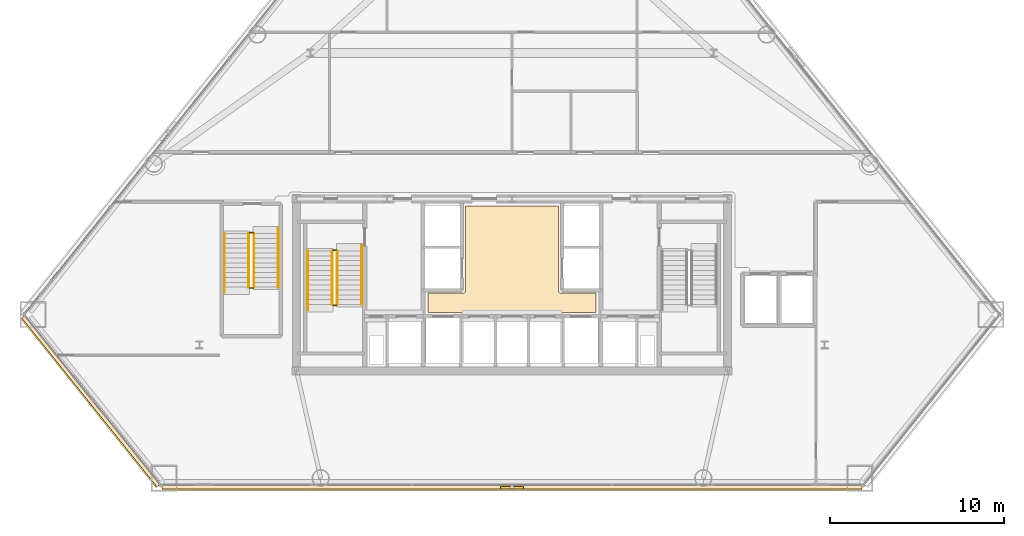
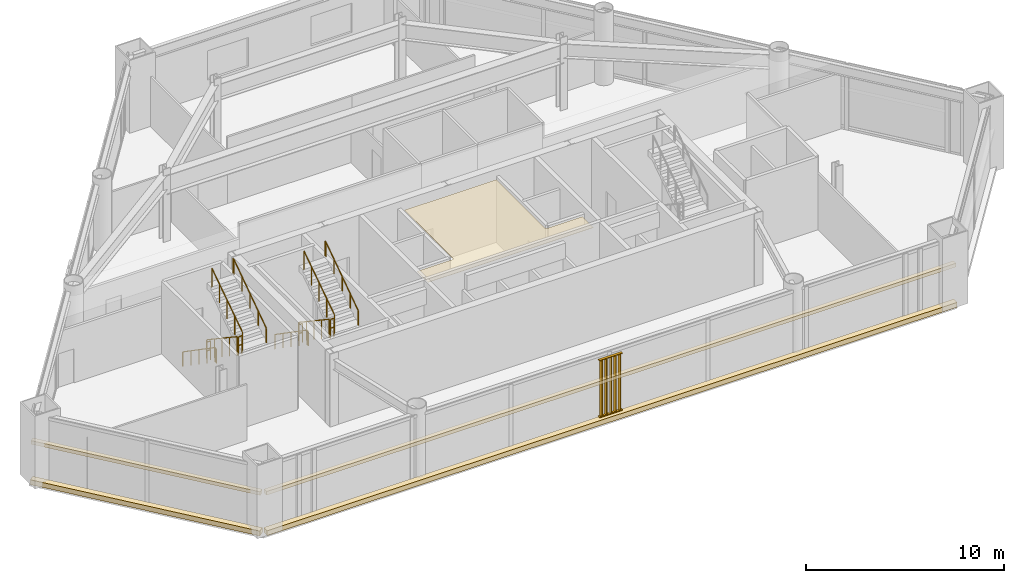
# One storey, part 11 of 13: 12 railings, 5 coverings, 1 shading device.
"""IFC4 building model written with IfcOpenShell, lengths in metres."""

from ifc_helpers import new_model, si_unit, direction, frame, origin, origin_2d, place, context, subcontext, project, spatial, polyline, rectangle, outline, extrude, source, transform, mapped, material, layer, layer_set, type_object, type_shapes, element, save


model = new_model("IFC4")

# Units and contexts
model_context = context("Model", 3, precision=1e-05, world=origin(), true_north=direction((0.0, 1.0)))
body_context = subcontext(model_context, "Body", "Model", "MODEL_VIEW")
ifc_project = project(units=[si_unit("LENGTHUNIT", "METRE"), si_unit("AREAUNIT", "SQUARE_METRE"), si_unit("VOLUMEUNIT", "CUBIC_METRE"), si_unit("PLANEANGLEUNIT", "RADIAN"), si_unit("MASSUNIT", "GRAM", prefix="KILO")], contexts=[model_context])

# Site, building, storey
site_placement = place(None, origin())
site = spatial("IfcSite", under=ifc_project, at=site_placement, CompositionType="ELEMENT")
building_placement = place(site_placement, origin())
building = spatial("IfcBuilding", under=site, at=building_placement, Name="Talgorran Terracotta Tower", CompositionType="ELEMENT")
storey_placement = place(building_placement, frame((0.0, 0.0, 14.39990234375)))
storey = spatial("IfcBuildingStorey", under=building, at=storey_placement, Name="L03", CompositionType="ELEMENT", Elevation=14.39990234375)

# Coverings
ifc_material_1 = material(Name="Kiln-Fired Terracotta Ochre Ceramic", Category="masonry")
ifc_layer_1 = layer(ifc_material_1, 0.179931640625, Name="COV_BAGUETTE_TERRACOTTA_SCREEN")
ifc_layer_set_1 = layer_set([ifc_layer_1], Name="Kiln-Fired Terracotta Ochre Ceramic")
covering_type_1 = type_object("IfcCoveringType", Name="COV_BAGUETTE_TERRACOTTA_SCREEN", PredefinedType="CLADDING", material=ifc_layer_set_1)
covering_1_placement = place(storey_placement, frame((-24.226318359375, -15.83056640625, 2.41015625), z_axis=(0.0, 0.0, 1.0), x_axis=(0.625120058901, -0.780528610597, 0.0)))
element("IfcCovering", 1, at=covering_1_placement, inside=storey, type_object=covering_type_1, Name="L03 Terracotta Baguette Solar Screen Assembly F0", PredefinedType="CLADDING", context=body_context, shape_type="SweptSolid", body=[
    extrude(rectangle(XDim=12.4462890625, YDim=0.260009765625, at=origin_2d()), origin(), (0.0, 0.0, 1.0), 0.219970703125),
])
covering_2_placement = place(storey_placement, frame((0.0, -20.780029296875, 2.41015625), z_axis=(0.0, 0.0, 1.0), x_axis=(1.0, 0.0, 0.0)))
element("IfcCovering", 2, at=covering_2_placement, inside=storey, type_object=covering_type_1, Name="L03 Terracotta Baguette Solar Screen Assembly F1", PredefinedType="CLADDING", context=body_context, shape_type="SweptSolid", body=[
    extrude(rectangle(XDim=40.288818359375, YDim=0.260009765625, at=origin_2d()), origin(), (0.0, 0.0, 1.0), 0.219970703125),
])
ifc_material_2 = material(Name="Flush Moisture-Resistant Plaster")
ifc_layer_2 = layer(ifc_material_2, 0.01806640625, Name="COV_CEIL_PLASTER")
ifc_layer_set_2 = layer_set([ifc_layer_2], Name="Flush Moisture-Resistant Plaster")
covering_type_2 = type_object("IfcCoveringType", Name="COV_CEIL_PLASTER", PredefinedType="CEILING", material=ifc_layer_set_2)
covering_3_placement = place(storey_placement, frame((0.0, 0.0, 4.010009765625)))
element("IfcCovering", 3, at=covering_3_placement, inside=storey, type_object=covering_type_2, Name="CEIL-L03-1", PredefinedType="CEILING", context=body_context, shape_type="SweptSolid", body=[
    extrude(outline(polyline([(-4.830078125, -9.6201171875), (-2.800048828125, -9.6201171875), (-2.7880859375, -9.619384765625), (-2.776611328125, -9.61767578125), (-2.76513671875, -9.61474609375), (-2.754150390625, -9.61083984375), (-2.743408203125, -9.605712890625), (-2.7333984375, -9.599853515625), (-2.723876953125, -9.5927734375), (-2.715087890625, -9.5849609375), (-2.707275390625, -9.576171875), (-2.7001953125, -9.566650390625), (-2.694091796875, -9.556640625), (-2.689208984375, -9.5458984375), (-2.685302734375, -9.534912109375), (-2.682373046875, -9.5234375), (-2.6806640625, -9.51171875), (-2.679931640625, -9.5), (-2.679931640625, -4.6201171875), (2.679931640625, -4.6201171875), (2.679931640625, -9.5), (2.6806640625, -9.51171875), (2.682373046875, -9.5234375), (2.685302734375, -9.534912109375), (2.689208984375, -9.5458984375), (2.694091796875, -9.556640625), (2.7001953125, -9.566650390625), (2.707275390625, -9.576171875), (2.715087890625, -9.5849609375), (2.723876953125, -9.5927734375), (2.7333984375, -9.599853515625), (2.743408203125, -9.605712890625), (2.754150390625, -9.61083984375), (2.76513671875, -9.61474609375), (2.776611328125, -9.61767578125), (2.7880859375, -9.619384765625), (2.800048828125, -9.6201171875), (4.830078125, -9.6201171875), (4.830078125, -10.72998046875), (-4.830078125, -10.72998046875), (-4.830078125, -9.6201171875)])), origin(), (0.0, 0.0, 1.0), 0.02001953125),
])
ifc_material_3 = material(Name="Kiln-Fired Terracotta Cladding", Category="masonry")
ifc_layer_3 = layer(ifc_material_3, 0.090087890625, Name="COV_PORTAL_TERRA")
ifc_layer_set_3 = layer_set([ifc_layer_3], Name="Kiln-Fired Terracotta Cladding")
covering_type_3 = type_object("IfcCoveringType", Name="COV_PORTAL_TERRA", PredefinedType="CLADDING", material=ifc_layer_set_3)
covering_4_placement = place(storey_placement, frame((-24.257568359375, -15.85546875, -0.0400390625), z_axis=(0.0, 0.0, 1.0), x_axis=(0.625120058901, -0.780528610597, 0.0)))
element("IfcCovering", 4, at=covering_4_placement, inside=storey, type_object=covering_type_3, Name="L03 Striped Postmodern Portal Cladding Band F0", PredefinedType="CLADDING", context=body_context, shape_type="SweptSolid", body=[
    extrude(rectangle(XDim=12.46630859375, YDim=0.340087890625, at=origin_2d()), origin(), (0.0, 0.0, 1.0), 0.300048828125),
])
covering_5_placement = place(storey_placement, frame((0.0, -20.820068359375, -0.0400390625), z_axis=(0.0, 0.0, 1.0), x_axis=(1.0, 0.0, 0.0)))
element("IfcCovering", 5, at=covering_5_placement, inside=storey, type_object=covering_type_3, Name="L03 Striped Postmodern Portal Cladding Band F1", PredefinedType="CLADDING", context=body_context, shape_type="SweptSolid", body=[
    extrude(rectangle(XDim=40.308837890625, YDim=0.340087890625, at=origin_2d()), origin(), (0.0, 0.0, 1.0), 0.300048828125),
])

# Railings
ifc_material_4 = material(Name="Steel S355 (300PLUS)", Category="steel")
railing_type_1 = type_object("IfcRailingType", Name="RL_HANDRAIL_920", PredefinedType="HANDRAIL", material=ifc_material_4)
railing_1_placement = place(storey_placement, frame((-11.75, -7.199951171875, 0.1875)))
element("IfcRailing", 6, at=railing_1_placement, inside=storey, type_object=railing_type_1, Name="L03 ST-01 stair handrail 1", PredefinedType="HANDRAIL", context=body_context, shape_type="SweptSolid", body=[
    extrude(rectangle(XDim=0.048095703125, YDim=0.048095703125, at=origin_2d()), frame((0.0, 0.0, 0.89599609375), z_axis=(0.0, -0.82301009837, 0.568026740551), x_axis=(1.0, 0.0, 0.0)), (0.0, 0.0, 1.0), 3.961181640625),
    extrude(rectangle(XDim=0.048095703125, YDim=0.048095703125, at=origin_2d()), frame((0.0, -3.260009765625, 3.14599609375), z_axis=(0.0, -1.0, 0.0), x_axis=(1.0, 0.0, 0.0)), (0.0, 0.0, 1.0), 0.1201171875),
    extrude(rectangle(XDim=0.0419921875, YDim=0.0419921875, at=origin_2d()), origin(), (0.0, 0.0, 1.0), 0.871826171875),
    extrude(rectangle(XDim=0.0419921875, YDim=0.0419921875, at=origin_2d()), frame((0.0, -0.81494140625, 0.5625)), (0.0, 0.0, 1.0), 0.871826171875),
    extrude(rectangle(XDim=0.0419921875, YDim=0.0419921875, at=origin_2d()), frame((0.0, -1.6298828125, 1.125)), (0.0, 0.0, 1.0), 0.871826171875),
    extrude(rectangle(XDim=0.0419921875, YDim=0.0419921875, at=origin_2d()), frame((0.0, -2.445068359375, 1.6875)), (0.0, 0.0, 1.0), 0.871826171875),
    extrude(rectangle(XDim=0.0419921875, YDim=0.0419921875, at=origin_2d()), frame((0.0, -3.260009765625, 2.25)), (0.0, 0.0, 1.0), 0.871826171875),
    extrude(rectangle(XDim=0.0419921875, YDim=0.0419921875, at=origin_2d()), frame((0.0, -3.380126953125, 2.25)), (0.0, 0.0, 1.0), 0.871826171875),
])
railing_2_placement = place(storey_placement, frame((-8.64990234375, -10.280029296875, 2.4375)))
element("IfcRailing", 7, at=railing_2_placement, inside=storey, type_object=railing_type_1, Name="L03 ST-01 stair handrail 2", PredefinedType="HANDRAIL", context=body_context, shape_type="SweptSolid", body=[
    extrude(rectangle(XDim=0.048095703125, YDim=0.048095703125, at=origin_2d()), frame((0.0, 0.0, 0.89599609375), z_axis=(0.0, 0.82301009837, 0.568026740551), x_axis=(-1.0, 0.0, 0.0)), (0.0, 0.0, 1.0), 3.961181640625),
    extrude(rectangle(XDim=0.048095703125, YDim=0.048095703125, at=origin_2d()), frame((0.0, 3.260009765625, 3.14599609375), z_axis=(0.0, 1.0, 0.0), x_axis=(-1.0, 0.0, 0.0)), (0.0, 0.0, 1.0), 0.1201171875),
    extrude(rectangle(XDim=0.0419921875, YDim=0.0419921875, at=origin_2d()), origin(), (0.0, 0.0, 1.0), 0.871826171875),
    extrude(rectangle(XDim=0.0419921875, YDim=0.0419921875, at=origin_2d()), frame((0.0, 0.81494140625, 0.5625)), (0.0, 0.0, 1.0), 0.871826171875),
    extrude(rectangle(XDim=0.0419921875, YDim=0.0419921875, at=origin_2d()), frame((0.0, 1.6298828125, 1.125)), (0.0, 0.0, 1.0), 0.871826171875),
    extrude(rectangle(XDim=0.0419921875, YDim=0.0419921875, at=origin_2d()), frame((0.0, 2.445068359375, 1.6875)), (0.0, 0.0, 1.0), 0.871826171875),
    extrude(rectangle(XDim=0.0419921875, YDim=0.0419921875, at=origin_2d()), frame((0.0, 3.260009765625, 2.25)), (0.0, 0.0, 1.0), 0.871826171875),
    extrude(rectangle(XDim=0.0419921875, YDim=0.0419921875, at=origin_2d()), frame((0.0, 3.380126953125, 2.25)), (0.0, 0.0, 1.0), 0.871826171875),
])
railing_3_placement = place(storey_placement, frame((-16.550048828125, -6.199951171875, 0.1875)))
element("IfcRailing", 8, at=railing_3_placement, inside=storey, type_object=railing_type_1, Name="L03 ST-03 stair handrail 1", PredefinedType="HANDRAIL", context=body_context, shape_type="SweptSolid", body=[
    extrude(rectangle(XDim=0.048095703125, YDim=0.048095703125, at=origin_2d()), frame((0.0, 0.0, 0.89599609375), z_axis=(0.0, -0.82301009837, 0.568026740551), x_axis=(1.0, 0.0, 0.0)), (0.0, 0.0, 1.0), 3.961181640625),
    extrude(rectangle(XDim=0.048095703125, YDim=0.048095703125, at=origin_2d()), frame((0.0, -3.260009765625, 3.14599609375), z_axis=(0.0, -1.0, 0.0), x_axis=(1.0, 0.0, 0.0)), (0.0, 0.0, 1.0), 0.1201171875),
    extrude(rectangle(XDim=0.0419921875, YDim=0.0419921875, at=origin_2d()), origin(), (0.0, 0.0, 1.0), 0.871826171875),
    extrude(rectangle(XDim=0.0419921875, YDim=0.0419921875, at=origin_2d()), frame((0.0, -0.81494140625, 0.5625)), (0.0, 0.0, 1.0), 0.871826171875),
    extrude(rectangle(XDim=0.0419921875, YDim=0.0419921875, at=origin_2d()), frame((0.0, -1.6298828125, 1.125)), (0.0, 0.0, 1.0), 0.871826171875),
    extrude(rectangle(XDim=0.0419921875, YDim=0.0419921875, at=origin_2d()), frame((0.0, -2.445068359375, 1.6875)), (0.0, 0.0, 1.0), 0.871826171875),
    extrude(rectangle(XDim=0.0419921875, YDim=0.0419921875, at=origin_2d()), frame((0.0, -3.260009765625, 2.25)), (0.0, 0.0, 1.0), 0.871826171875),
    extrude(rectangle(XDim=0.0419921875, YDim=0.0419921875, at=origin_2d()), frame((0.0, -3.380126953125, 2.25)), (0.0, 0.0, 1.0), 0.871826171875),
])
railing_4_placement = place(storey_placement, frame((-13.449951171875, -9.280029296875, 2.4375)))
element("IfcRailing", 9, at=railing_4_placement, inside=storey, type_object=railing_type_1, Name="L03 ST-03 stair handrail 2", PredefinedType="HANDRAIL", context=body_context, shape_type="SweptSolid", body=[
    extrude(rectangle(XDim=0.048095703125, YDim=0.048095703125, at=origin_2d()), frame((0.0, 0.0, 0.89599609375), z_axis=(0.0, 0.82301009837, 0.568026740551), x_axis=(-1.0, 0.0, 0.0)), (0.0, 0.0, 1.0), 3.961181640625),
    extrude(rectangle(XDim=0.048095703125, YDim=0.048095703125, at=origin_2d()), frame((0.0, 3.260009765625, 3.14599609375), z_axis=(0.0, 1.0, 0.0), x_axis=(-1.0, 0.0, 0.0)), (0.0, 0.0, 1.0), 0.1201171875),
    extrude(rectangle(XDim=0.0419921875, YDim=0.0419921875, at=origin_2d()), origin(), (0.0, 0.0, 1.0), 0.871826171875),
    extrude(rectangle(XDim=0.0419921875, YDim=0.0419921875, at=origin_2d()), frame((0.0, 0.81494140625, 0.5625)), (0.0, 0.0, 1.0), 0.871826171875),
    extrude(rectangle(XDim=0.0419921875, YDim=0.0419921875, at=origin_2d()), frame((0.0, 1.6298828125, 1.125)), (0.0, 0.0, 1.0), 0.871826171875),
    extrude(rectangle(XDim=0.0419921875, YDim=0.0419921875, at=origin_2d()), frame((0.0, 2.445068359375, 1.6875)), (0.0, 0.0, 1.0), 0.871826171875),
    extrude(rectangle(XDim=0.0419921875, YDim=0.0419921875, at=origin_2d()), frame((0.0, 3.260009765625, 2.25)), (0.0, 0.0, 1.0), 0.871826171875),
    extrude(rectangle(XDim=0.0419921875, YDim=0.0419921875, at=origin_2d()), frame((0.0, 3.380126953125, 2.25)), (0.0, 0.0, 1.0), 0.871826171875),
])
railing_type_2 = type_object("IfcRailingType", Name="RL_STAIR_GUARD", PredefinedType="GUARDRAIL", material=ifc_material_4)
railing_5_placement = place(storey_placement, frame((-10.35009765625, -7.199951171875, 0.1875)))
element("IfcRailing", 10, at=railing_5_placement, inside=storey, type_object=railing_type_2, Name="L03 ST-01 stair guard 1", PredefinedType="GUARDRAIL", context=body_context, shape_type="SweptSolid", body=[
    extrude(rectangle(XDim=0.048095703125, YDim=0.048095703125, at=origin_2d()), frame((0.0, 0.0, 1.15576171875), z_axis=(0.0, -0.830913701846, 0.55640131208), x_axis=(1.0, 0.0, 0.0)), (0.0, 0.0, 1.0), 3.706787109375),
    extrude(rectangle(XDim=0.0419921875, YDim=0.0419921875, at=origin_2d()), origin(), (0.0, 0.0, 1.0), 1.1318359375),
    extrude(rectangle(XDim=0.0419921875, YDim=0.0419921875, at=origin_2d()), frame((0.0, -0.77001953125, 0.515625)), (0.0, 0.0, 1.0), 1.1318359375),
    extrude(rectangle(XDim=0.0419921875, YDim=0.0419921875, at=origin_2d()), frame((0.0, -1.5400390625, 1.03125)), (0.0, 0.0, 1.0), 1.1318359375),
    extrude(rectangle(XDim=0.0419921875, YDim=0.0419921875, at=origin_2d()), frame((0.0, -2.31005859375, 1.546875)), (0.0, 0.0, 1.0), 1.1318359375),
    extrude(rectangle(XDim=0.0419921875, YDim=0.0419921875, at=origin_2d()), frame((0.0, -3.080078125, 2.0625)), (0.0, 0.0, 1.0), 1.1318359375),
])
railing_6_placement = place(storey_placement, frame((-10.300048828125, -10.330078125, 2.25)))
element("IfcRailing", 11, at=railing_6_placement, inside=storey, type_object=railing_type_2, Name="L03 ST-01 stair guard 2", PredefinedType="GUARDRAIL", context=body_context, shape_type="SweptSolid", body=[
    extrude(rectangle(XDim=0.048095703125, YDim=0.048095703125, at=origin_2d()), frame((0.0, 0.0, 1.15576171875), z_axis=(1.0, 0.0, 0.0), x_axis=(0.0, 1.0, 0.0)), (0.0, 0.0, 1.0), 0.199951171875),
    extrude(rectangle(XDim=0.048095703125, YDim=0.048095703125, at=origin_2d()), frame((0.0, 0.0, 0.613525390625), z_axis=(1.0, 0.0, 0.0), x_axis=(0.0, 1.0, 0.0)), (0.0, 0.0, 1.0), 0.199951171875),
    extrude(rectangle(XDim=0.0419921875, YDim=0.0419921875, at=origin_2d()), origin(), (0.0, 0.0, 1.0), 1.1318359375),
    extrude(rectangle(XDim=0.0419921875, YDim=0.0419921875, at=origin_2d()), frame((0.199951171875, 0.0, 0.0)), (0.0, 0.0, 1.0), 1.1318359375),
])
railing_7_placement = place(storey_placement, frame((-10.050048828125, -10.280029296875, 2.4375)))
element("IfcRailing", 12, at=railing_7_placement, inside=storey, type_object=railing_type_2, Name="L03 ST-01 stair guard 3", PredefinedType="GUARDRAIL", context=body_context, shape_type="SweptSolid", body=[
    extrude(rectangle(XDim=0.048095703125, YDim=0.048095703125, at=origin_2d()), frame((0.0, 0.0, 1.15576171875), z_axis=(0.0, 0.830913701846, 0.55640131208), x_axis=(-1.0, 0.0, 0.0)), (0.0, 0.0, 1.0), 3.706787109375),
    extrude(rectangle(XDim=0.0419921875, YDim=0.0419921875, at=origin_2d()), origin(), (0.0, 0.0, 1.0), 1.1318359375),
    extrude(rectangle(XDim=0.0419921875, YDim=0.0419921875, at=origin_2d()), frame((0.0, 0.77001953125, 0.515625)), (0.0, 0.0, 1.0), 1.1318359375),
    extrude(rectangle(XDim=0.0419921875, YDim=0.0419921875, at=origin_2d()), frame((0.0, 1.5400390625, 1.03125)), (0.0, 0.0, 1.0), 1.1318359375),
    extrude(rectangle(XDim=0.0419921875, YDim=0.0419921875, at=origin_2d()), frame((0.0, 2.31005859375, 1.546875)), (0.0, 0.0, 1.0), 1.1318359375),
    extrude(rectangle(XDim=0.0419921875, YDim=0.0419921875, at=origin_2d()), frame((0.0, 3.080078125, 2.0625)), (0.0, 0.0, 1.0), 1.1318359375),
])
railing_8_placement = place(storey_placement, frame((-10.300048828125, -7.14990234375, 0.0)))
element("IfcRailing", 13, at=railing_8_placement, inside=storey, type_object=railing_type_2, Name="L03 ST-01 stair guard 4", PredefinedType="GUARDRAIL", context=body_context, shape_type="SweptSolid", body=[
    extrude(rectangle(XDim=0.048095703125, YDim=0.048095703125, at=origin_2d()), frame((0.0, 0.0, 1.15576171875), z_axis=(1.0, 0.0, 0.0), x_axis=(0.0, 1.0, 0.0)), (0.0, 0.0, 1.0), 0.199951171875),
    extrude(rectangle(XDim=0.048095703125, YDim=0.048095703125, at=origin_2d()), frame((0.0, 0.0, 0.613525390625), z_axis=(1.0, 0.0, 0.0), x_axis=(0.0, 1.0, 0.0)), (0.0, 0.0, 1.0), 0.199951171875),
    extrude(rectangle(XDim=0.0419921875, YDim=0.0419921875, at=origin_2d()), origin(), (0.0, 0.0, 1.0), 1.1318359375),
    extrude(rectangle(XDim=0.0419921875, YDim=0.0419921875, at=origin_2d()), frame((0.199951171875, 0.0, 0.0)), (0.0, 0.0, 1.0), 1.1318359375),
])
railing_9_placement = place(storey_placement, frame((-15.14990234375, -6.199951171875, 0.1875)))
element("IfcRailing", 14, at=railing_9_placement, inside=storey, type_object=railing_type_2, Name="L03 ST-03 stair guard 1", PredefinedType="GUARDRAIL", context=body_context, shape_type="SweptSolid", body=[
    extrude(rectangle(XDim=0.048095703125, YDim=0.048095703125, at=origin_2d()), frame((0.0, 0.0, 1.15576171875), z_axis=(0.0, -0.830913701846, 0.55640131208), x_axis=(1.0, 0.0, 0.0)), (0.0, 0.0, 1.0), 3.706787109375),
    extrude(rectangle(XDim=0.0419921875, YDim=0.0419921875, at=origin_2d()), origin(), (0.0, 0.0, 1.0), 1.1318359375),
    extrude(rectangle(XDim=0.0419921875, YDim=0.0419921875, at=origin_2d()), frame((0.0, -0.77001953125, 0.515625)), (0.0, 0.0, 1.0), 1.1318359375),
    extrude(rectangle(XDim=0.0419921875, YDim=0.0419921875, at=origin_2d()), frame((0.0, -1.5400390625, 1.03125)), (0.0, 0.0, 1.0), 1.1318359375),
    extrude(rectangle(XDim=0.0419921875, YDim=0.0419921875, at=origin_2d()), frame((0.0, -2.31005859375, 1.546875)), (0.0, 0.0, 1.0), 1.1318359375),
    extrude(rectangle(XDim=0.0419921875, YDim=0.0419921875, at=origin_2d()), frame((0.0, -3.080078125, 2.0625)), (0.0, 0.0, 1.0), 1.1318359375),
])
railing_10_placement = place(storey_placement, frame((-15.10009765625, -9.330078125, 2.25)))
element("IfcRailing", 15, at=railing_10_placement, inside=storey, type_object=railing_type_2, Name="L03 ST-03 stair guard 2", PredefinedType="GUARDRAIL", context=body_context, shape_type="SweptSolid", body=[
    extrude(rectangle(XDim=0.048095703125, YDim=0.048095703125, at=origin_2d()), frame((0.0, 0.0, 1.15576171875), z_axis=(1.0, 0.0, 0.0), x_axis=(0.0, 1.0, 0.0)), (0.0, 0.0, 1.0), 0.2001953125),
    extrude(rectangle(XDim=0.048095703125, YDim=0.048095703125, at=origin_2d()), frame((0.0, 0.0, 0.613525390625), z_axis=(1.0, 0.0, 0.0), x_axis=(0.0, 1.0, 0.0)), (0.0, 0.0, 1.0), 0.2001953125),
    extrude(rectangle(XDim=0.0419921875, YDim=0.0419921875, at=origin_2d()), origin(), (0.0, 0.0, 1.0), 1.1318359375),
    extrude(rectangle(XDim=0.0419921875, YDim=0.0419921875, at=origin_2d()), frame((0.2001953125, 0.0, 0.0)), (0.0, 0.0, 1.0), 1.1318359375),
])
railing_11_placement = place(storey_placement, frame((-14.85009765625, -9.280029296875, 2.4375)))
element("IfcRailing", 16, at=railing_11_placement, inside=storey, type_object=railing_type_2, Name="L03 ST-03 stair guard 3", PredefinedType="GUARDRAIL", context=body_context, shape_type="SweptSolid", body=[
    extrude(rectangle(XDim=0.048095703125, YDim=0.048095703125, at=origin_2d()), frame((0.0, 0.0, 1.15576171875), z_axis=(0.0, 0.830913701846, 0.55640131208), x_axis=(-1.0, 0.0, 0.0)), (0.0, 0.0, 1.0), 3.706787109375),
    extrude(rectangle(XDim=0.0419921875, YDim=0.0419921875, at=origin_2d()), origin(), (0.0, 0.0, 1.0), 1.1318359375),
    extrude(rectangle(XDim=0.0419921875, YDim=0.0419921875, at=origin_2d()), frame((0.0, 0.77001953125, 0.515625)), (0.0, 0.0, 1.0), 1.1318359375),
    extrude(rectangle(XDim=0.0419921875, YDim=0.0419921875, at=origin_2d()), frame((0.0, 1.5400390625, 1.03125)), (0.0, 0.0, 1.0), 1.1318359375),
    extrude(rectangle(XDim=0.0419921875, YDim=0.0419921875, at=origin_2d()), frame((0.0, 2.31005859375, 1.546875)), (0.0, 0.0, 1.0), 1.1318359375),
    extrude(rectangle(XDim=0.0419921875, YDim=0.0419921875, at=origin_2d()), frame((0.0, 3.080078125, 2.0625)), (0.0, 0.0, 1.0), 1.1318359375),
])
railing_12_placement = place(storey_placement, frame((-15.10009765625, -6.14990234375, 0.0)))
element("IfcRailing", 17, at=railing_12_placement, inside=storey, type_object=railing_type_2, Name="L03 ST-03 stair guard 4", PredefinedType="GUARDRAIL", context=body_context, shape_type="SweptSolid", body=[
    extrude(rectangle(XDim=0.048095703125, YDim=0.048095703125, at=origin_2d()), frame((0.0, 0.0, 1.15576171875), z_axis=(1.0, 0.0, 0.0), x_axis=(0.0, 1.0, 0.0)), (0.0, 0.0, 1.0), 0.2001953125),
    extrude(rectangle(XDim=0.048095703125, YDim=0.048095703125, at=origin_2d()), frame((0.0, 0.0, 0.613525390625), z_axis=(1.0, 0.0, 0.0), x_axis=(0.0, 1.0, 0.0)), (0.0, 0.0, 1.0), 0.2001953125),
    extrude(rectangle(XDim=0.0419921875, YDim=0.0419921875, at=origin_2d()), origin(), (0.0, 0.0, 1.0), 1.1318359375),
    extrude(rectangle(XDim=0.0419921875, YDim=0.0419921875, at=origin_2d()), frame((0.2001953125, 0.0, 0.0)), (0.0, 0.0, 1.0), 1.1318359375),
])

# Shading device
ifc_material_5 = material(Name="Kiln-Fired Terracotta", Category="masonry")
ifc_layer_4 = layer(ifc_material_5, 0.139892578125, Name="SHD_BAGUETTE_TERRA")
ifc_layer_set_4 = layer_set([ifc_layer_4], Name="Kiln-Fired Terracotta")
shading_device_type = type_object("IfcShadingDeviceType", Name="SHD_BAGUETTE_TERRA", PredefinedType="JALOUSIE", material=ifc_layer_set_4)
shared_shape = source(origin(), body_context, "Body", "SweptSolid", [
    extrude(rectangle(XDim=1.35009765625, YDim=0.139892578125, at=origin_2d()), origin(), (0.0, 0.0, 1.0), 0.054931640625),
    extrude(rectangle(XDim=1.35009765625, YDim=0.139892578125, at=origin_2d()), frame((0.0, 0.0, 3.4951171875)), (0.0, 0.0, 1.0), 0.054931640625),
    extrude(rectangle(XDim=0.074951171875, YDim=0.139892578125, at=origin_2d()), frame((-0.53515625, 0.0, 0.054931640625), z_axis=(0.0, 0.0, 1.0), x_axis=(0.866025403784, 0.5, 0.0)), (0.0, 0.0, 1.0), 3.440185546875),
    extrude(rectangle(XDim=0.074951171875, YDim=0.139892578125, at=origin_2d()), frame((-0.267578125, 0.0, 0.054931640625), z_axis=(0.0, 0.0, 1.0), x_axis=(0.866025403784, 0.5, 0.0)), (0.0, 0.0, 1.0), 3.440185546875),
    extrude(rectangle(XDim=0.074951171875, YDim=0.139892578125, at=origin_2d()), frame((0.0, 0.0, 0.054931640625), z_axis=(0.0, 0.0, 1.0), x_axis=(0.866025403784, 0.5, 0.0)), (0.0, 0.0, 1.0), 3.440185546875),
    extrude(rectangle(XDim=0.074951171875, YDim=0.139892578125, at=origin_2d()), frame((0.267578125, 0.0, 0.054931640625), z_axis=(0.0, 0.0, 1.0), x_axis=(0.866025403784, 0.5, 0.0)), (0.0, 0.0, 1.0), 3.440185546875),
    extrude(rectangle(XDim=0.074951171875, YDim=0.139892578125, at=origin_2d()), frame((0.53515625, 0.0, 0.054931640625), z_axis=(0.0, 0.0, 1.0), x_axis=(0.866025403784, 0.5, 0.0)), (0.0, 0.0, 1.0), 3.440185546875),
])
type_shapes(shading_device_type, [shared_shape])
shading_device_placement = place(storey_placement, frame((0.0, -20.820068359375, 0.35009765625), z_axis=(0.0, 0.0, 1.0), x_axis=(1.0, 0.0, 0.0)))
element("IfcShadingDevice", 18, at=shading_device_placement, inside=storey, type_object=shading_device_type, Name="BAG-L03-F1", PredefinedType="JALOUSIE", context=body_context, shape_type="MappedRepresentation", body=[
    mapped(shared_shape, transform((0.0, 0.0, 0.0), scale=1.0)),
])

save(model, "model.ifc")
